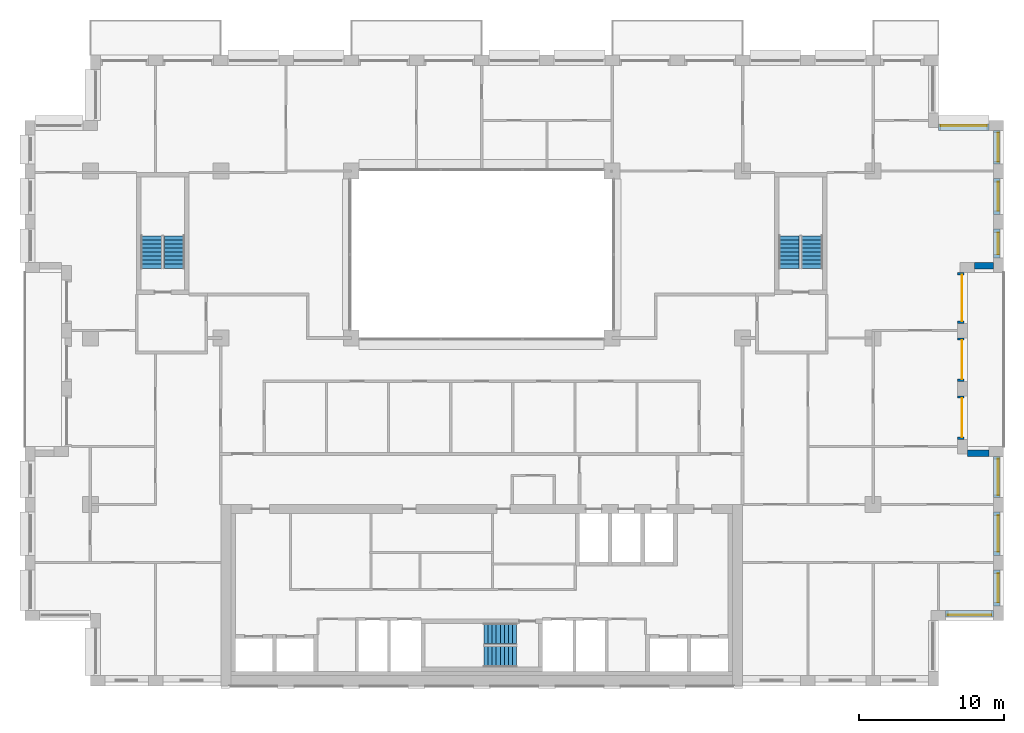
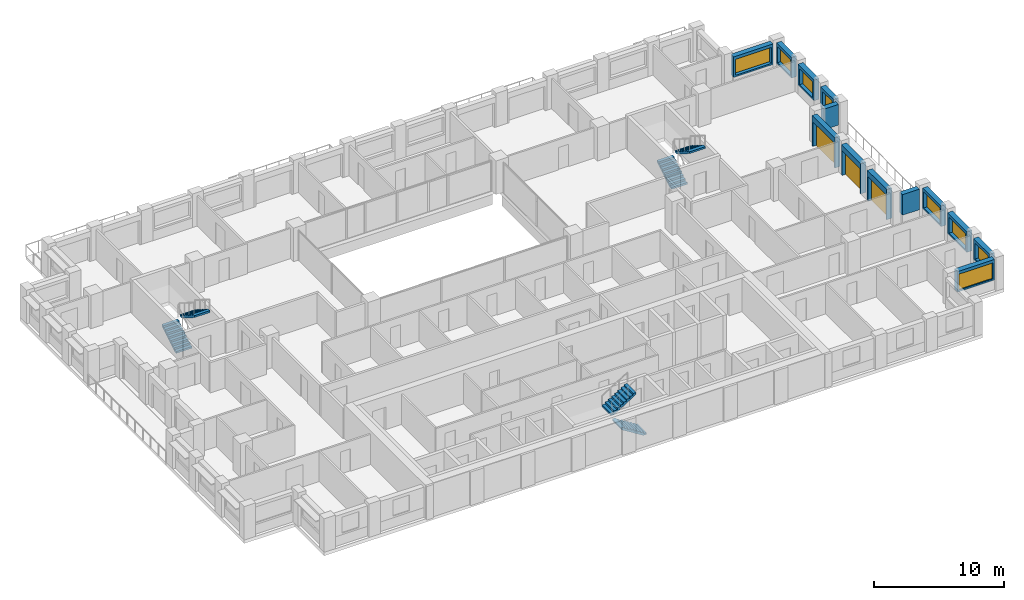
# One storey, part 14 of 15: 13 walls, 8 windows, 6 stair flights, 3 doors, 11 openings, 3 elements without a shape of their own.
"""IFC4 building model written with IfcOpenShell, lengths in metres."""

from ifc_helpers import new_model, si_unit, direction, frame, frame_2d, origin, place, context, subcontext, project, spatial, polyline, rectangle, outline, extrude, material, layer, layer_set, type_object, element, fill, aggregate, save


model = new_model("IFC4")

# Units and contexts
model_context = context("Model", 3, precision=1e-05, world=origin(), true_north=direction((0.0, 1.0)))
body_context = subcontext(model_context, "Body", "Model", "MODEL_VIEW")
ifc_project = project(units=[si_unit("LENGTHUNIT", "METRE"), si_unit("AREAUNIT", "SQUARE_METRE"), si_unit("VOLUMEUNIT", "CUBIC_METRE"), si_unit("PLANEANGLEUNIT", "RADIAN"), si_unit("MASSUNIT", "GRAM", prefix="KILO")], contexts=[model_context])

# Site, building, storey
site_placement = place(None, origin())
site = spatial("IfcSite", under=ifc_project, at=site_placement, CompositionType="ELEMENT")
building_placement = place(site_placement, origin())
building = spatial("IfcBuilding", under=site, at=building_placement, Name="Brigalow Station Residences", CompositionType="ELEMENT")
storey_placement = place(building_placement, frame((0.0, 0.0, 172.800048828125)))
storey = spatial("IfcBuildingStorey", under=building, at=storey_placement, Name="L50", CompositionType="ELEMENT", Elevation=172.800048828125)

# Wall, opening, window
ifc_material_1 = material(Name="Clay brick masonry", Category="masonry")
ifc_layer = layer(ifc_material_1, 0.449951171875)
ifc_layer_set = layer_set([ifc_layer], Name="BRICK INFILL WALL 450")
wall_type = type_object("IfcWallType", Name="BRICK INFILL WALL 450", PredefinedType="SOLIDWALL", material=ifc_layer_set)
wall_1_placement = place(storey_placement, frame((68.0, 4.97509765625, 0.89990234375), z_axis=(0.0, 0.0, 1.0), x_axis=(1.0, 0.0, 0.0)))
wall_1 = element("IfcWall", 1, at=wall_1_placement, inside=storey, type_object=wall_type, Name="L50/ewall/W-L50-8", PredefinedType="SOLIDWALL", context=body_context, shape_type="SweptSolid", body=[
    extrude(rectangle(XDim=3.300048828125, YDim=0.449951171875, at=frame_2d((1.64990234375, 0.0))), origin(), (0.0, 0.0, 1.0), 1.929931640625),
])
opening_1_placement = place(wall_1_placement, frame((0.14990234375, 0.0, 0.14990234375)))
opening_1 = element("IfcOpeningElement", 2, at=opening_1_placement, cuts=wall_1, Name="Opening WT-2", PredefinedType="OPENING", context=body_context, shape_type="SweptSolid", body=[
    extrude(rectangle(XDim=3.0, YDim=1.5, at=frame_2d((1.5, 0.75))), frame((0.0, 0.23486328125, 0.0), z_axis=(0.0, -1.0, 0.0), x_axis=(1.0, 0.0, 0.0)), (0.0, 0.0, 1.0), 0.469970703125),
])
ifc_material_2 = material(Name="Anodised aluminium frame with double glazing", Category="aluminium")
window_type_1 = type_object("IfcWindowType", Name="WINDOW 3000x1500", PartitioningType="SINGLE_PANEL", PredefinedType="WINDOW", material=ifc_material_2)
window_1_placement = place(opening_1_placement, origin())
window_1 = element("IfcWindow", 3, at=window_1_placement, inside=storey, type_object=window_type_1, Name="L50/window/W-L50-8", OverallHeight=1.5, OverallWidth=3.0, PartitioningType="SINGLE_PANEL", PredefinedType="WINDOW", context=body_context, shape_type="SweptSolid", body=[
    extrude(rectangle(XDim=3.0, YDim=1.5, at=frame_2d((1.5, 0.75))), frame((0.0, -0.06494140625, 0.0), z_axis=(0.0, -1.0, 0.0), x_axis=(1.0, 0.0, 0.0)), (0.0, 0.0, 1.0), 0.06005859375),
])
fill(opening_1, window_1)

wall_2_placement = place(storey_placement, frame((71.52490234375, 5.5, 0.89990234375), z_axis=(0.0, 0.0, 1.0), x_axis=(0.0, 1.0, 0.0)))
wall_2 = element("IfcWall", 4, at=wall_2_placement, inside=storey, type_object=wall_type, Name="L50/ewall/W-L50-9", PredefinedType="SOLIDWALL", context=body_context, shape_type="SweptSolid", body=[
    extrude(rectangle(XDim=2.5, YDim=0.449951171875, at=frame_2d((1.25, 0.0))), origin(), (0.0, 0.0, 1.0), 1.929931640625),
])
opening_2_placement = place(wall_2_placement, frame((0.25, 0.0, 0.14990234375)))
opening_2 = element("IfcOpeningElement", 5, at=opening_2_placement, cuts=wall_2, Name="Opening WT-7", PredefinedType="OPENING", context=body_context, shape_type="SweptSolid", body=[
    extrude(rectangle(XDim=2.0, YDim=1.5, at=frame_2d((1.0, 0.75))), frame((0.0, 0.23486328125, 0.0), z_axis=(0.0, -1.0, 0.0), x_axis=(1.0, 0.0, 0.0)), (0.0, 0.0, 1.0), 0.469970703125),
])
ifc_material_3 = material(Name="Anodised aluminium frame with double glazing", Category="aluminium")
window_type_2 = type_object("IfcWindowType", Name="WINDOW 2000x1500", PartitioningType="SINGLE_PANEL", PredefinedType="WINDOW", material=ifc_material_3)
window_2_placement = place(opening_2_placement, origin())
window_2 = element("IfcWindow", 6, at=window_2_placement, inside=storey, type_object=window_type_2, Name="L50/window/W-L50-9", OverallHeight=1.5, OverallWidth=2.0, PartitioningType="SINGLE_PANEL", PredefinedType="WINDOW", context=body_context, shape_type="SweptSolid", body=[
    extrude(rectangle(XDim=2.0, YDim=1.5, at=frame_2d((1.0, 0.75))), frame((0.0, -0.06494140625, 0.0), z_axis=(0.0, -1.0, 0.0), x_axis=(1.0, 0.0, 0.0)), (0.0, 0.0, 1.0), 0.06005859375),
])
fill(opening_2, window_2)

wall_3_placement = place(storey_placement, frame((71.52490234375, 9.0, 0.89990234375), z_axis=(0.0, 0.0, 1.0), x_axis=(0.0, 1.0, 0.0)))
wall_3 = element("IfcWall", 7, at=wall_3_placement, inside=storey, type_object=wall_type, Name="L50/ewall/W-L50-10", PredefinedType="SOLIDWALL", context=body_context, shape_type="SweptSolid", body=[
    extrude(rectangle(XDim=3.0, YDim=0.449951171875, at=frame_2d((1.5, 0.0))), origin(), (0.0, 0.0, 1.0), 1.929931640625),
])
opening_3_placement = place(wall_3_placement, frame((0.25, 0.0, 0.14990234375)))
opening_3 = element("IfcOpeningElement", 8, at=opening_3_placement, cuts=wall_3, Name="Opening WT-5", PredefinedType="OPENING", context=body_context, shape_type="SweptSolid", body=[
    extrude(rectangle(XDim=2.5, YDim=1.5, at=frame_2d((1.25, 0.75))), frame((0.0, 0.23486328125, 0.0), z_axis=(0.0, -1.0, 0.0), x_axis=(1.0, 0.0, 0.0)), (0.0, 0.0, 1.0), 0.469970703125),
])
ifc_material_4 = material(Name="Anodised aluminium frame with double glazing", Category="aluminium")
window_type_3 = type_object("IfcWindowType", Name="WINDOW 2500x1500", PartitioningType="SINGLE_PANEL", PredefinedType="WINDOW", material=ifc_material_4)
window_3_placement = place(opening_3_placement, origin())
window_3 = element("IfcWindow", 9, at=window_3_placement, inside=storey, type_object=window_type_3, Name="L50/window/W-L50-10", OverallHeight=1.5, OverallWidth=2.5, PartitioningType="SINGLE_PANEL", PredefinedType="WINDOW", context=body_context, shape_type="SweptSolid", body=[
    extrude(rectangle(XDim=2.5, YDim=1.5, at=frame_2d((1.25, 0.75))), frame((0.0, -0.06494140625, 0.0), z_axis=(0.0, -1.0, 0.0), x_axis=(1.0, 0.0, 0.0)), (0.0, 0.0, 1.0), 0.06005859375),
])
fill(opening_3, window_3)

wall_4_placement = place(storey_placement, frame((71.52490234375, 13.0, 0.89990234375), z_axis=(0.0, 0.0, 1.0), x_axis=(0.0, 1.0, 0.0)))
wall_4 = element("IfcWall", 10, at=wall_4_placement, inside=storey, type_object=wall_type, Name="L50/ewall/W-L50-11", PredefinedType="SOLIDWALL", context=body_context, shape_type="SweptSolid", body=[
    extrude(rectangle(XDim=2.800048828125, YDim=0.449951171875, at=frame_2d((1.39990234375, 0.0))), origin(), (0.0, 0.0, 1.0), 1.929931640625),
])
opening_4_placement = place(wall_4_placement, frame((0.14990234375, 0.0, 0.14990234375)))
opening_4 = element("IfcOpeningElement", 11, at=opening_4_placement, cuts=wall_4, Name="Opening WT-5", PredefinedType="OPENING", context=body_context, shape_type="SweptSolid", body=[
    extrude(rectangle(XDim=2.5, YDim=1.5, at=frame_2d((1.25, 0.75))), frame((0.0, 0.23486328125, 0.0), z_axis=(0.0, -1.0, 0.0), x_axis=(1.0, 0.0, 0.0)), (0.0, 0.0, 1.0), 0.469970703125),
])
window_4_placement = place(opening_4_placement, origin())
window_4 = element("IfcWindow", 12, at=window_4_placement, inside=storey, type_object=window_type_3, Name="L50/window/W-L50-11", OverallHeight=1.5, OverallWidth=2.5, PartitioningType="SINGLE_PANEL", PredefinedType="WINDOW", context=body_context, shape_type="SweptSolid", body=[
    extrude(rectangle(XDim=2.5, YDim=1.5, at=frame_2d((1.25, 0.75))), frame((0.0, -0.06494140625, 0.0), z_axis=(0.0, -1.0, 0.0), x_axis=(1.0, 0.0, 0.0)), (0.0, 0.0, 1.0), 0.06005859375),
])
fill(opening_4, window_4)

# Wall
wall_5_placement = place(storey_placement, frame((71.0, 16.02490234375, 0.89990234375), z_axis=(0.0, 0.0, 1.0), x_axis=(-1.0, 0.0, 0.0)))
element("IfcWall", 13, at=wall_5_placement, inside=storey, type_object=wall_type, Name="L50/ewall/W-L50-12", PredefinedType="SOLIDWALL", context=body_context, shape_type="SweptSolid", body=[
    extrude(rectangle(XDim=1.5, YDim=0.449951171875, at=frame_2d((0.75, 0.0))), origin(), (0.0, 0.0, 1.0), 1.929931640625),
])

# Wall, opening, door
wall_6_placement = place(storey_placement, frame((69.02490234375, 17.0, 0.0), z_axis=(0.0, 0.0, 1.0), x_axis=(0.0, 1.0, 0.0)))
wall_6 = element("IfcWall", 14, at=wall_6_placement, inside=storey, type_object=wall_type, Name="L50/ewall/W-L50-13", PredefinedType="SOLIDWALL", context=body_context, shape_type="SweptSolid", body=[
    extrude(rectangle(XDim=3.0, YDim=0.449951171875, at=frame_2d((1.5, 0.0))), origin(), (0.0, 0.0, 1.0), 2.829833984375),
])
opening_5_placement = place(wall_6_placement, frame((0.14990234375, 0.0, 0.0)))
opening_5 = element("IfcOpeningElement", 15, at=opening_5_placement, cuts=wall_6, Name="Opening D-B2700", PredefinedType="OPENING", context=body_context, shape_type="SweptSolid", body=[
    extrude(rectangle(XDim=2.699951171875, YDim=2.300048828125, at=frame_2d((1.35009765625, 1.14990234375))), frame((0.0, 0.23486328125, 0.0), z_axis=(0.0, -1.0, 0.0), x_axis=(1.0, 0.0, 0.0)), (0.0, 0.0, 1.0), 0.469970703125),
])
ifc_material_5 = material(Name="Anodised aluminium frame with double glazing", Category="aluminium")
door_type_1 = type_object("IfcDoorType", Name="BALCONY SLIDING DOOR 2700x2300", OperationType="SLIDING_TO_LEFT", PredefinedType="DOOR", material=ifc_material_5)
door_1_placement = place(opening_5_placement, origin())
door_1 = element("IfcDoor", 16, at=door_1_placement, inside=storey, type_object=door_type_1, Name="L50/balcony-door/W-L50-13", OperationType="SLIDING_TO_LEFT", OverallHeight=2.300048828125, OverallWidth=2.699951171875, PredefinedType="DOOR", context=body_context, shape_type="SweptSolid", body=[
    extrude(rectangle(XDim=2.699951171875, YDim=2.300048828125, at=frame_2d((1.35009765625, 1.14990234375))), frame((0.0, -0.06982421875, 0.0), z_axis=(0.0, -1.0, 0.0), x_axis=(1.0, 0.0, 0.0)), (0.0, 0.0, 1.0), 0.050048828125),
])
fill(opening_5, door_1)

wall_7_placement = place(storey_placement, frame((69.02490234375, 21.0, 0.0), z_axis=(0.0, 0.0, 1.0), x_axis=(0.0, 1.0, 0.0)))
wall_7 = element("IfcWall", 17, at=wall_7_placement, inside=storey, type_object=wall_type, Name="L50/ewall/W-L50-14", PredefinedType="SOLIDWALL", context=body_context, shape_type="SweptSolid", body=[
    extrude(rectangle(XDim=3.0, YDim=0.449951171875, at=frame_2d((1.5, 0.0))), origin(), (0.0, 0.0, 1.0), 2.829833984375),
])
opening_6_placement = place(wall_7_placement, frame((0.14990234375, 0.0, 0.0)))
opening_6 = element("IfcOpeningElement", 18, at=opening_6_placement, cuts=wall_7, Name="Opening D-B2700", PredefinedType="OPENING", context=body_context, shape_type="SweptSolid", body=[
    extrude(rectangle(XDim=2.699951171875, YDim=2.300048828125, at=frame_2d((1.35009765625, 1.14990234375))), frame((0.0, 0.23486328125, 0.0), z_axis=(0.0, -1.0, 0.0), x_axis=(1.0, 0.0, 0.0)), (0.0, 0.0, 1.0), 0.469970703125),
])
door_2_placement = place(opening_6_placement, origin())
door_2 = element("IfcDoor", 19, at=door_2_placement, inside=storey, type_object=door_type_1, Name="L50/balcony-door/W-L50-14", OperationType="SLIDING_TO_LEFT", OverallHeight=2.300048828125, OverallWidth=2.699951171875, PredefinedType="DOOR", context=body_context, shape_type="SweptSolid", body=[
    extrude(rectangle(XDim=2.699951171875, YDim=2.300048828125, at=frame_2d((1.35009765625, 1.14990234375))), frame((0.0, -0.06982421875, 0.0), z_axis=(0.0, -1.0, 0.0), x_axis=(1.0, 0.0, 0.0)), (0.0, 0.0, 1.0), 0.050048828125),
])
fill(opening_6, door_2)

wall_8_placement = place(storey_placement, frame((69.02490234375, 25.0, 0.0), z_axis=(0.0, 0.0, 1.0), x_axis=(0.0, 1.0, 0.0)))
wall_8 = element("IfcWall", 20, at=wall_8_placement, inside=storey, type_object=wall_type, Name="L50/ewall/W-L50-15", PredefinedType="SOLIDWALL", context=body_context, shape_type="SweptSolid", body=[
    extrude(rectangle(XDim=3.5, YDim=0.449951171875, at=frame_2d((1.75, 0.0))), origin(), (0.0, 0.0, 1.0), 2.829833984375),
])
opening_7_placement = place(wall_8_placement, frame((0.14990234375, 0.0, 0.0)))
opening_7 = element("IfcOpeningElement", 21, at=opening_7_placement, cuts=wall_8, Name="Opening D-B3200", PredefinedType="OPENING", context=body_context, shape_type="SweptSolid", body=[
    extrude(rectangle(XDim=3.199951171875, YDim=2.300048828125, at=frame_2d((1.60009765625, 1.14990234375))), frame((0.0, 0.23486328125, 0.0), z_axis=(0.0, -1.0, 0.0), x_axis=(1.0, 0.0, 0.0)), (0.0, 0.0, 1.0), 0.469970703125),
])
ifc_material_6 = material(Name="Anodised aluminium frame with double glazing", Category="aluminium")
door_type_2 = type_object("IfcDoorType", Name="BALCONY SLIDING DOOR 3200x2300", OperationType="SLIDING_TO_LEFT", PredefinedType="DOOR", material=ifc_material_6)
door_3_placement = place(opening_7_placement, origin())
door_3 = element("IfcDoor", 22, at=door_3_placement, inside=storey, type_object=door_type_2, Name="L50/balcony-door/W-L50-15", OperationType="SLIDING_TO_LEFT", OverallHeight=2.300048828125, OverallWidth=3.199951171875, PredefinedType="DOOR", context=body_context, shape_type="SweptSolid", body=[
    extrude(rectangle(XDim=3.199951171875, YDim=2.300048828125, at=frame_2d((1.60009765625, 1.14990234375))), frame((0.0, -0.06982421875, 0.0), z_axis=(0.0, -1.0, 0.0), x_axis=(1.0, 0.0, 0.0)), (0.0, 0.0, 1.0), 0.050048828125),
])
fill(opening_7, door_3)

# Wall
wall_9_placement = place(storey_placement, frame((70.0, 28.97509765625, 0.89990234375), z_axis=(0.0, 0.0, 1.0), x_axis=(1.0, 0.0, 0.0)))
element("IfcWall", 23, at=wall_9_placement, inside=storey, type_object=wall_type, Name="L50/ewall/W-L50-16", PredefinedType="SOLIDWALL", context=body_context, shape_type="SweptSolid", body=[
    extrude(rectangle(XDim=1.300048828125, YDim=0.449951171875, at=frame_2d((0.64990234375, 0.0))), origin(), (0.0, 0.0, 1.0), 1.929931640625),
])

# Wall, opening, window
wall_10_placement = place(storey_placement, frame((71.52490234375, 29.5, 0.89990234375), z_axis=(0.0, 0.0, 1.0), x_axis=(0.0, 1.0, 0.0)))
wall_10 = element("IfcWall", 24, at=wall_10_placement, inside=storey, type_object=wall_type, Name="L50/ewall/W-L50-17", PredefinedType="SOLIDWALL", context=body_context, shape_type="SweptSolid", body=[
    extrude(rectangle(XDim=2.0, YDim=0.449951171875, at=frame_2d((1.0, 0.0))), origin(), (0.0, 0.0, 1.0), 1.929931640625),
])
opening_8_placement = place(wall_10_placement, frame((0.25, 0.0, 0.14990234375)))
opening_8 = element("IfcOpeningElement", 25, at=opening_8_placement, cuts=wall_10, Name="Opening WT-1", PredefinedType="OPENING", context=body_context, shape_type="SweptSolid", body=[
    extrude(rectangle(XDim=1.5, YDim=1.5, at=frame_2d((0.75, 0.75))), frame((0.0, 0.23486328125, 0.0), z_axis=(0.0, -1.0, 0.0), x_axis=(1.0, 0.0, 0.0)), (0.0, 0.0, 1.0), 0.469970703125),
])
ifc_material_7 = material(Name="Anodised aluminium frame with double glazing", Category="aluminium")
window_type_4 = type_object("IfcWindowType", Name="WINDOW 1500x1500", PartitioningType="SINGLE_PANEL", PredefinedType="WINDOW", material=ifc_material_7)
window_5_placement = place(opening_8_placement, origin())
window_5 = element("IfcWindow", 26, at=window_5_placement, inside=storey, type_object=window_type_4, Name="L50/window/W-L50-17", OverallHeight=1.5, OverallWidth=1.5, PartitioningType="SINGLE_PANEL", PredefinedType="WINDOW", context=body_context, shape_type="SweptSolid", body=[
    extrude(rectangle(XDim=1.5, YDim=1.5, at=frame_2d((0.75, 0.75))), frame((0.0, -0.06494140625, 0.0), z_axis=(0.0, -1.0, 0.0), x_axis=(1.0, 0.0, 0.0)), (0.0, 0.0, 1.0), 0.06005859375),
])
fill(opening_8, window_5)

wall_11_placement = place(storey_placement, frame((71.52490234375, 32.5, 0.89990234375), z_axis=(0.0, 0.0, 1.0), x_axis=(0.0, 1.0, 0.0)))
wall_11 = element("IfcWall", 27, at=wall_11_placement, inside=storey, type_object=wall_type, Name="L50/ewall/W-L50-18", PredefinedType="SOLIDWALL", context=body_context, shape_type="SweptSolid", body=[
    extrude(rectangle(XDim=2.5, YDim=0.449951171875, at=frame_2d((1.25, 0.0))), origin(), (0.0, 0.0, 1.0), 1.929931640625),
])
opening_9_placement = place(wall_11_placement, frame((0.25, 0.0, 0.14990234375)))
opening_9 = element("IfcOpeningElement", 28, at=opening_9_placement, cuts=wall_11, Name="Opening WT-7", PredefinedType="OPENING", context=body_context, shape_type="SweptSolid", body=[
    extrude(rectangle(XDim=2.0, YDim=1.5, at=frame_2d((1.0, 0.75))), frame((0.0, 0.23486328125, 0.0), z_axis=(0.0, -1.0, 0.0), x_axis=(1.0, 0.0, 0.0)), (0.0, 0.0, 1.0), 0.469970703125),
])
window_6_placement = place(opening_9_placement, origin())
window_6 = element("IfcWindow", 29, at=window_6_placement, inside=storey, type_object=window_type_2, Name="L50/window/W-L50-18", OverallHeight=1.5, OverallWidth=2.0, PartitioningType="SINGLE_PANEL", PredefinedType="WINDOW", context=body_context, shape_type="SweptSolid", body=[
    extrude(rectangle(XDim=2.0, YDim=1.5, at=frame_2d((1.0, 0.75))), frame((0.0, -0.06494140625, 0.0), z_axis=(0.0, -1.0, 0.0), x_axis=(1.0, 0.0, 0.0)), (0.0, 0.0, 1.0), 0.06005859375),
])
fill(opening_9, window_6)

wall_12_placement = place(storey_placement, frame((71.52490234375, 36.0, 0.89990234375), z_axis=(0.0, 0.0, 1.0), x_axis=(0.0, 1.0, 0.0)))
wall_12 = element("IfcWall", 30, at=wall_12_placement, inside=storey, type_object=wall_type, Name="L50/ewall/W-L50-19", PredefinedType="SOLIDWALL", context=body_context, shape_type="SweptSolid", body=[
    extrude(rectangle(XDim=2.300048828125, YDim=0.449951171875, at=frame_2d((1.14990234375, 0.0))), origin(), (0.0, 0.0, 1.0), 1.929931640625),
])
opening_10_placement = place(wall_12_placement, frame((0.14990234375, 0.0, 0.14990234375)))
opening_10 = element("IfcOpeningElement", 31, at=opening_10_placement, cuts=wall_12, Name="Opening WT-7", PredefinedType="OPENING", context=body_context, shape_type="SweptSolid", body=[
    extrude(rectangle(XDim=2.0, YDim=1.5, at=frame_2d((1.0, 0.75))), frame((0.0, 0.23486328125, 0.0), z_axis=(0.0, -1.0, 0.0), x_axis=(1.0, 0.0, 0.0)), (0.0, 0.0, 1.0), 0.469970703125),
])
window_7_placement = place(opening_10_placement, origin())
window_7 = element("IfcWindow", 32, at=window_7_placement, inside=storey, type_object=window_type_2, Name="L50/window/W-L50-19", OverallHeight=1.5, OverallWidth=2.0, PartitioningType="SINGLE_PANEL", PredefinedType="WINDOW", context=body_context, shape_type="SweptSolid", body=[
    extrude(rectangle(XDim=2.0, YDim=1.5, at=frame_2d((1.0, 0.75))), frame((0.0, -0.06494140625, 0.0), z_axis=(0.0, -1.0, 0.0), x_axis=(1.0, 0.0, 0.0)), (0.0, 0.0, 1.0), 0.06005859375),
])
fill(opening_10, window_7)

wall_13_placement = place(storey_placement, frame((71.0, 38.52490234375, 0.89990234375), z_axis=(0.0, 0.0, 1.0), x_axis=(-1.0, 0.0, 0.0)))
wall_13 = element("IfcWall", 33, at=wall_13_placement, inside=storey, type_object=wall_type, Name="L50/ewall/W-L50-20", PredefinedType="SOLIDWALL", context=body_context, shape_type="SweptSolid", body=[
    extrude(rectangle(XDim=3.5, YDim=0.449951171875, at=frame_2d((1.75, 0.0))), origin(), (0.0, 0.0, 1.0), 1.929931640625),
])
opening_11_placement = place(wall_13_placement, frame((0.14990234375, 0.0, 0.14990234375)))
opening_11 = element("IfcOpeningElement", 34, at=opening_11_placement, cuts=wall_13, Name="Opening WT-9", PredefinedType="OPENING", context=body_context, shape_type="SweptSolid", body=[
    extrude(rectangle(XDim=3.199951171875, YDim=1.5, at=frame_2d((1.60009765625, 0.75))), frame((0.0, 0.23486328125, 0.0), z_axis=(0.0, -1.0, 0.0), x_axis=(1.0, 0.0, 0.0)), (0.0, 0.0, 1.0), 0.469970703125),
])
ifc_material_8 = material(Name="Anodised aluminium frame with double glazing", Category="aluminium")
window_type_5 = type_object("IfcWindowType", Name="WINDOW 3200x1500", PartitioningType="SINGLE_PANEL", PredefinedType="WINDOW", material=ifc_material_8)
window_8_placement = place(opening_11_placement, origin())
window_8 = element("IfcWindow", 35, at=window_8_placement, inside=storey, type_object=window_type_5, Name="L50/window/W-L50-20", OverallHeight=1.5, OverallWidth=3.199951171875, PartitioningType="SINGLE_PANEL", PredefinedType="WINDOW", context=body_context, shape_type="SweptSolid", body=[
    extrude(rectangle(XDim=3.199951171875, YDim=1.5, at=frame_2d((1.60009765625, 0.75))), frame((0.0, -0.06494140625, 0.0), z_axis=(0.0, -1.0, 0.0), x_axis=(1.0, 0.0, 0.0)), (0.0, 0.0, 1.0), 0.06005859375),
])
fill(opening_11, window_8)

# Stair, stair flights
ifc_material_9 = material(Name="Concrete C50", Category="concrete")
stair_type = type_object("IfcStairType", Name="EXIT STAIR 1400 2 FLIGHT", PredefinedType="HALF_TURN_STAIR", material=ifc_material_9)
stair_1_placement = place(storey_placement, origin())
stair_1 = element("IfcStair", 36, at=stair_1_placement, inside=storey, type_object=stair_type, Name="EXIT STAIR S2 L50", PredefinedType="HALF_TURN_STAIR")
ifc_material_10 = material(Name="Concrete C50", Category="concrete")
stair_flight_type = type_object("IfcStairFlightType", Name="STAIR FLIGHT 1400", PredefinedType="STRAIGHT", material=ifc_material_10)
stair_flight_1_placement = place(storey_placement, frame((38.39990234375, 2.0, 0.0), z_axis=(0.0, 0.0, 1.0), x_axis=(-1.0, 0.0, 0.0)))
stair_flight_1 = element("IfcStairFlight", 37, at=stair_flight_1_placement, type_object=stair_flight_type, Name="ST-2 flight 1", NumberOfRisers=9, NumberOfTreads=8, PredefinedType="STRAIGHT", RiserHeight=0.175, TreadLength=0.28, context=body_context, shape_type="SweptSolid", body=[
    extrude(outline(polyline([(0.0, 0.0), (0.0, 0.175048828125), (0.280029296875, 0.175048828125), (0.280029296875, 0.35009765625), (0.56005859375, 0.35009765625), (0.56005859375, 0.52490234375), (0.840087890625, 0.52490234375), (0.840087890625, 0.699951171875), (1.1201171875, 0.699951171875), (1.1201171875, 0.875), (1.39990234375, 0.875), (1.39990234375, 1.050048828125), (1.679931640625, 1.050048828125), (1.679931640625, 1.22509765625), (1.9599609375, 1.22509765625), (1.9599609375, 1.39990234375), (2.239990234375, 1.39990234375), (2.239990234375, 1.574951171875), (2.239990234375, 1.22314453125), (0.28271484375, 0.0), (0.0, 0.0)])), frame((0.0, 0.699951171875, 0.0), z_axis=(0.0, -1.0, 0.0), x_axis=(1.0, 0.0, 0.0)), (0.0, 0.0, 1.0), 1.39990234375),
])
stair_flight_2_placement = place(storey_placement, frame((36.159912109375, 3.60009765625, 1.574951171875), z_axis=(0.0, 0.0, 1.0), x_axis=(1.0, 0.0, 0.0)))
stair_flight_2 = element("IfcStairFlight", 38, at=stair_flight_2_placement, type_object=stair_flight_type, Name="ST-2 flight 2", NumberOfRisers=9, NumberOfTreads=8, PredefinedType="STRAIGHT", RiserHeight=0.175, TreadLength=0.28, context=body_context, shape_type="SweptSolid", body=[
    extrude(outline(polyline([(0.0, 0.0), (0.0, 0.175048828125), (0.280029296875, 0.175048828125), (0.280029296875, 0.35009765625), (0.56005859375, 0.35009765625), (0.56005859375, 0.52490234375), (0.840087890625, 0.52490234375), (0.840087890625, 0.699951171875), (1.1201171875, 0.699951171875), (1.1201171875, 0.875), (1.39990234375, 0.875), (1.39990234375, 1.050048828125), (1.679931640625, 1.050048828125), (1.679931640625, 1.22509765625), (1.9599609375, 1.22509765625), (1.9599609375, 1.39990234375), (2.239990234375, 1.39990234375), (2.239990234375, 1.574951171875), (2.239990234375, 1.22314453125), (0.28271484375, 0.0), (0.0, 0.0)])), frame((0.0, 0.699951171875, 0.0), z_axis=(0.0, -1.0, 0.0), x_axis=(1.0, 0.0, 0.0)), (0.0, 0.0, 1.0), 1.39990234375),
])
aggregate(stair_1, [stair_flight_1, stair_flight_2])

stair_2_placement = place(storey_placement, origin())
stair_2 = element("IfcStair", 39, at=stair_2_placement, inside=storey, type_object=stair_type, Name="EXIT STAIR S1 L50", PredefinedType="HALF_TURN_STAIR")
stair_flight_3_placement = place(storey_placement, frame((13.199951171875, 28.800048828125, 0.0), z_axis=(0.0, 0.0, 1.0), x_axis=(0.0, 1.0, 0.0)))
stair_flight_3 = element("IfcStairFlight", 40, at=stair_flight_3_placement, type_object=stair_flight_type, Name="ST-1 flight 1", NumberOfRisers=9, NumberOfTreads=8, PredefinedType="STRAIGHT", RiserHeight=0.175, TreadLength=0.28, context=body_context, shape_type="SweptSolid", body=[
    extrude(outline(polyline([(0.0, 0.0), (0.0, 0.175048828125), (0.280029296875, 0.175048828125), (0.280029296875, 0.35009765625), (0.56005859375, 0.35009765625), (0.56005859375, 0.52490234375), (0.840087890625, 0.52490234375), (0.840087890625, 0.699951171875), (1.1201171875, 0.699951171875), (1.1201171875, 0.875), (1.39990234375, 0.875), (1.39990234375, 1.050048828125), (1.679931640625, 1.050048828125), (1.679931640625, 1.22509765625), (1.9599609375, 1.22509765625), (1.9599609375, 1.39990234375), (2.239990234375, 1.39990234375), (2.239990234375, 1.574951171875), (2.239990234375, 1.22314453125), (0.28271484375, 0.0), (0.0, 0.0)])), frame((0.0, 0.699951171875, 0.0), z_axis=(0.0, -1.0, 0.0), x_axis=(1.0, 0.0, 0.0)), (0.0, 0.0, 1.0), 1.39990234375),
])
stair_flight_4_placement = place(storey_placement, frame((14.800048828125, 31.0400390625, 1.574951171875), z_axis=(0.0, 0.0, 1.0), x_axis=(0.0, -1.0, 0.0)))
stair_flight_4 = element("IfcStairFlight", 41, at=stair_flight_4_placement, type_object=stair_flight_type, Name="ST-1 flight 2", NumberOfRisers=9, NumberOfTreads=8, PredefinedType="STRAIGHT", RiserHeight=0.175, TreadLength=0.28, context=body_context, shape_type="SweptSolid", body=[
    extrude(outline(polyline([(0.0, 0.0), (0.0, 0.175048828125), (0.280029296875, 0.175048828125), (0.280029296875, 0.35009765625), (0.56005859375, 0.35009765625), (0.56005859375, 0.52490234375), (0.840087890625, 0.52490234375), (0.840087890625, 0.699951171875), (1.1201171875, 0.699951171875), (1.1201171875, 0.875), (1.39990234375, 0.875), (1.39990234375, 1.050048828125), (1.679931640625, 1.050048828125), (1.679931640625, 1.22509765625), (1.9599609375, 1.22509765625), (1.9599609375, 1.39990234375), (2.239990234375, 1.39990234375), (2.239990234375, 1.574951171875), (2.239990234375, 1.22314453125), (0.28271484375, 0.0), (0.0, 0.0)])), frame((0.0, 0.699951171875, 0.0), z_axis=(0.0, -1.0, 0.0), x_axis=(1.0, 0.0, 0.0)), (0.0, 0.0, 1.0), 1.39990234375),
])
aggregate(stair_2, [stair_flight_3, stair_flight_4])

stair_3_placement = place(storey_placement, origin())
stair_3 = element("IfcStair", 42, at=stair_3_placement, inside=storey, type_object=stair_type, Name="EXIT STAIR S3 L50", PredefinedType="HALF_TURN_STAIR")
stair_flight_5_placement = place(storey_placement, frame((57.199951171875, 28.800048828125, 0.0), z_axis=(0.0, 0.0, 1.0), x_axis=(0.0, 1.0, 0.0)))
stair_flight_5 = element("IfcStairFlight", 43, at=stair_flight_5_placement, type_object=stair_flight_type, Name="ST-3 flight 1", NumberOfRisers=9, NumberOfTreads=8, PredefinedType="STRAIGHT", RiserHeight=0.175, TreadLength=0.28, context=body_context, shape_type="SweptSolid", body=[
    extrude(outline(polyline([(0.0, 0.0), (0.0, 0.175048828125), (0.280029296875, 0.175048828125), (0.280029296875, 0.35009765625), (0.56005859375, 0.35009765625), (0.56005859375, 0.52490234375), (0.840087890625, 0.52490234375), (0.840087890625, 0.699951171875), (1.1201171875, 0.699951171875), (1.1201171875, 0.875), (1.39990234375, 0.875), (1.39990234375, 1.050048828125), (1.679931640625, 1.050048828125), (1.679931640625, 1.22509765625), (1.9599609375, 1.22509765625), (1.9599609375, 1.39990234375), (2.239990234375, 1.39990234375), (2.239990234375, 1.574951171875), (2.239990234375, 1.22314453125), (0.28271484375, 0.0), (0.0, 0.0)])), frame((0.0, 0.699951171875, 0.0), z_axis=(0.0, -1.0, 0.0), x_axis=(1.0, 0.0, 0.0)), (0.0, 0.0, 1.0), 1.39990234375),
])
stair_flight_6_placement = place(storey_placement, frame((58.800048828125, 31.0400390625, 1.574951171875), z_axis=(0.0, 0.0, 1.0), x_axis=(0.0, -1.0, 0.0)))
stair_flight_6 = element("IfcStairFlight", 44, at=stair_flight_6_placement, type_object=stair_flight_type, Name="ST-3 flight 2", NumberOfRisers=9, NumberOfTreads=8, PredefinedType="STRAIGHT", RiserHeight=0.175, TreadLength=0.28, context=body_context, shape_type="SweptSolid", body=[
    extrude(outline(polyline([(0.0, 0.0), (0.0, 0.175048828125), (0.280029296875, 0.175048828125), (0.280029296875, 0.35009765625), (0.56005859375, 0.35009765625), (0.56005859375, 0.52490234375), (0.840087890625, 0.52490234375), (0.840087890625, 0.699951171875), (1.1201171875, 0.699951171875), (1.1201171875, 0.875), (1.39990234375, 0.875), (1.39990234375, 1.050048828125), (1.679931640625, 1.050048828125), (1.679931640625, 1.22509765625), (1.9599609375, 1.22509765625), (1.9599609375, 1.39990234375), (2.239990234375, 1.39990234375), (2.239990234375, 1.574951171875), (2.239990234375, 1.22314453125), (0.28271484375, 0.0), (0.0, 0.0)])), frame((0.0, 0.699951171875, 0.0), z_axis=(0.0, -1.0, 0.0), x_axis=(1.0, 0.0, 0.0)), (0.0, 0.0, 1.0), 1.39990234375),
])
aggregate(stair_3, [stair_flight_5, stair_flight_6])

save(model, "model.ifc")
